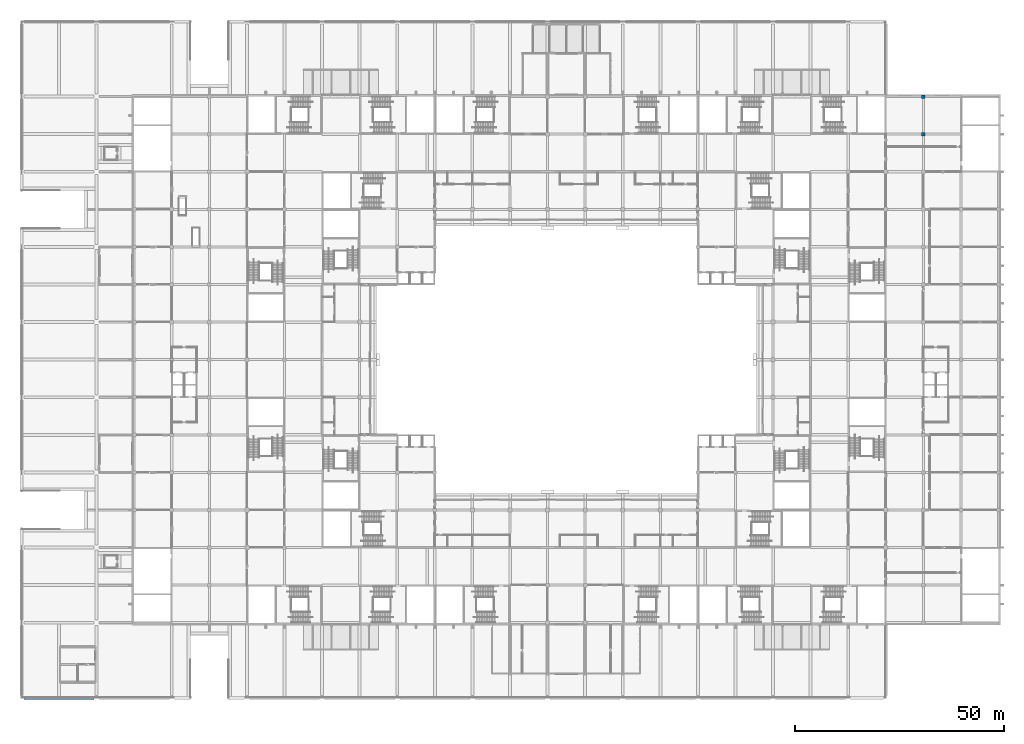
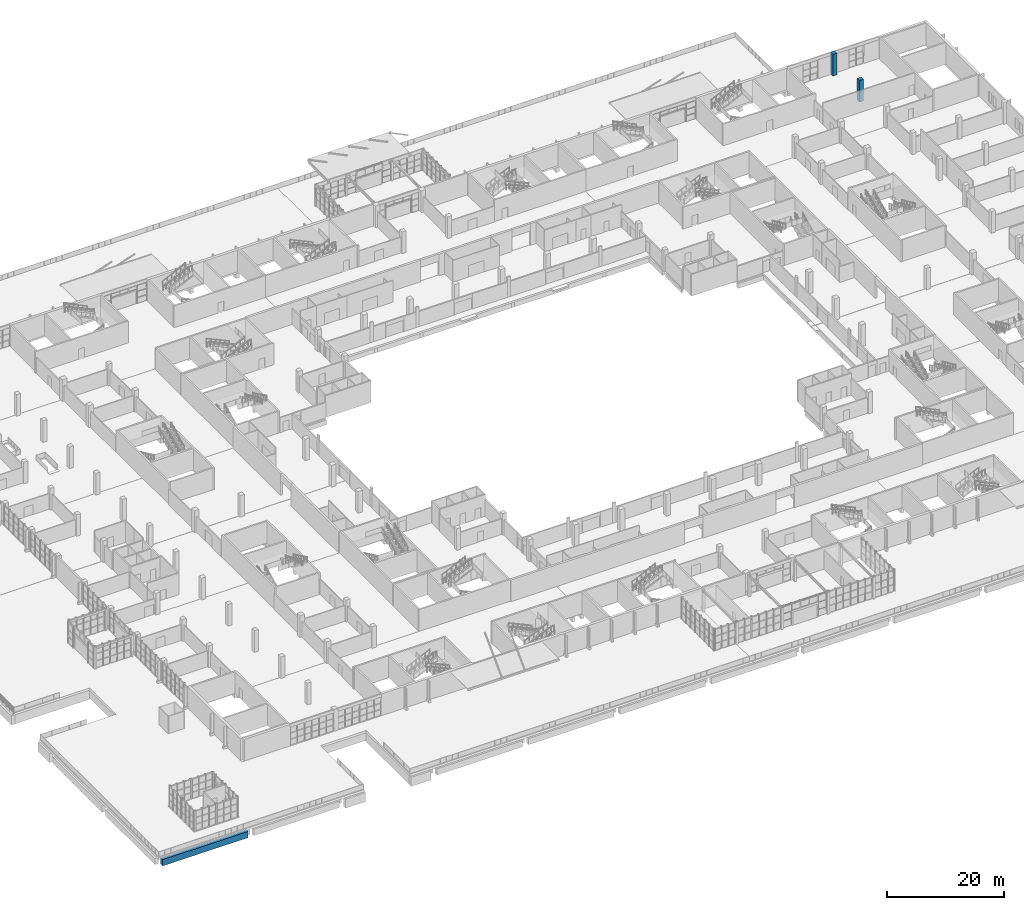
# One storey, part 12 of 168: 2 columns, 1 beam.
"""IFC4 building model written with IfcOpenShell, lengths in metres."""

from ifc_helpers import new_model, si_unit, direction, frame, origin, origin_2d, place, context, subcontext, project, spatial, rectangle, extrude, material, material_profile, profile_set, type_object, element, save


model = new_model("IFC4")

# Units and contexts
model_context = context("Model", 3, precision=1e-05, world=origin(), true_north=direction((0.0, 1.0)))
body_context = subcontext(model_context, "Body", "Model", "MODEL_VIEW")
ifc_project = project(units=[si_unit("LENGTHUNIT", "METRE"), si_unit("AREAUNIT", "SQUARE_METRE"), si_unit("VOLUMEUNIT", "CUBIC_METRE"), si_unit("PLANEANGLEUNIT", "RADIAN"), si_unit("MASSUNIT", "GRAM", prefix="KILO")], contexts=[model_context])

# Site, building, storey
site_placement = place(None, origin())
site = spatial("IfcSite", under=ifc_project, at=site_placement, CompositionType="ELEMENT")
building_placement = place(site_placement, origin())
building = spatial("IfcBuilding", under=site, at=building_placement, Name="Silverbay Arena", CompositionType="ELEMENT")
storey_placement = place(building_placement, frame((0.0, 0.0, 7.0)))
storey = spatial("IfcBuildingStorey", under=building, at=storey_placement, Name="L01", CompositionType="ELEMENT", Elevation=7.0)

# Columns
ifc_material_1 = material(Name="Concrete Grade C45", Category="concrete")
ifc_material_profile_1 = material_profile(ifc_material_1, rectangle(XDim=0.800048828125, YDim=0.800048828125, at=origin_2d()), Name="RC 800x800")
ifc_profile_set_1 = profile_set([ifc_material_profile_1], Name="Concrete Grade C45")
column_type = type_object("IfcColumnType", Name="RC column 800x800", PredefinedType="COLUMN", material=ifc_profile_set_1)
for number, where, z_axis, x_axis, name in (
    (1, (216.0, 135.0, 0.0), (0.0, 0.0, 1.0), (1.0, 0.0, 0.0), "Column 25/R L01"),
    (2, (216.0, 144.0, 0.0), (0.0, 0.0, 1.0), (1.0, 0.0, 0.0), "Column 25/S L01"),
):
    element("IfcColumn", number, at=place(storey_placement, frame(where, z_axis=z_axis, x_axis=x_axis)), inside=storey, type_object=column_type, Name=name, PredefinedType="COLUMN", context=body_context, shape_type="SweptSolid", body=[
        extrude(rectangle(XDim=0.800048828125, YDim=0.800048828125, at=origin_2d()), origin(), (0.0, 0.0, 1.0), 4.5),
    ])

# Beam
ifc_material_2 = material(Name="Concrete Grade C45", Category="concrete")
ifc_material_profile_2 = material_profile(ifc_material_2, rectangle(XDim=0.699951171875, YDim=1.300048828125, at=origin_2d()), Name="RC 700x1300")
ifc_profile_set_2 = profile_set([ifc_material_profile_2], Name="Concrete Grade C45")
beam_type = type_object("IfcBeamType", Name="RC girder 700x1300", PredefinedType="BEAM", material=ifc_profile_set_2)
beam_placement = place(storey_placement, frame((0.60009765625, 0.0, -1.10009765625), z_axis=(1.0, 0.0, 0.0), x_axis=(0.0, 1.0, 0.0)))
element("IfcBeam", 3, at=beam_placement, inside=storey, type_object=beam_type, Name="Deck girder 139", PredefinedType="BEAM", context=body_context, shape_type="SweptSolid", body=[
    extrude(rectangle(XDim=0.699951171875, YDim=1.300048828125, at=origin_2d()), origin(), (0.0, 0.0, 1.0), 16.7998046875),
])

save(model, "model.ifc")
